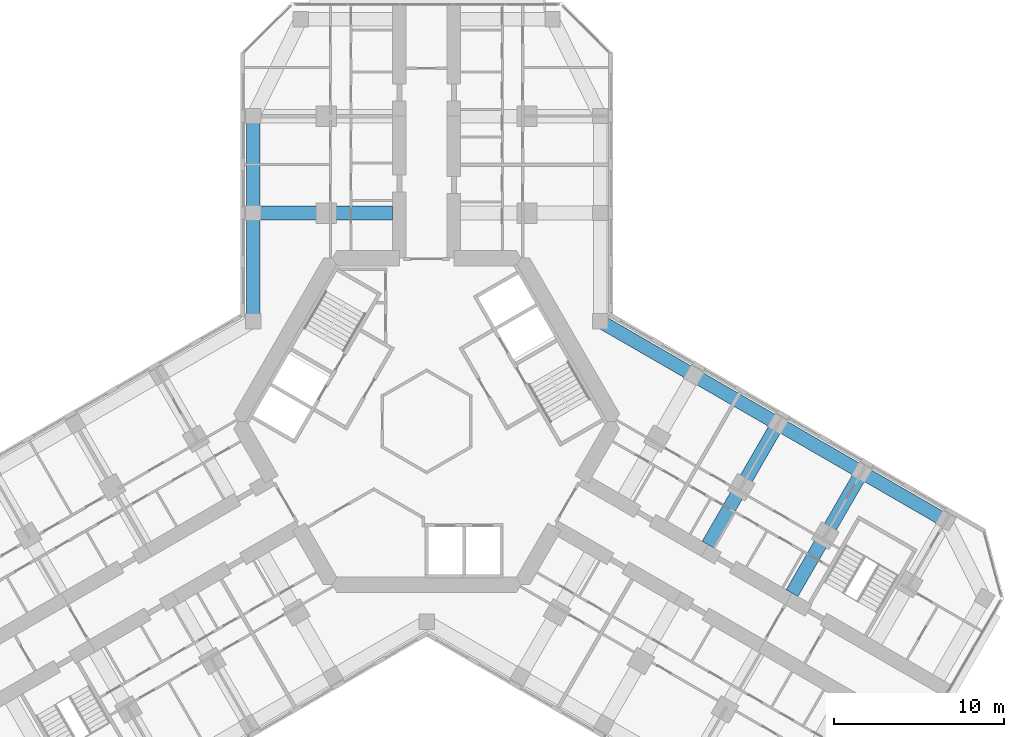
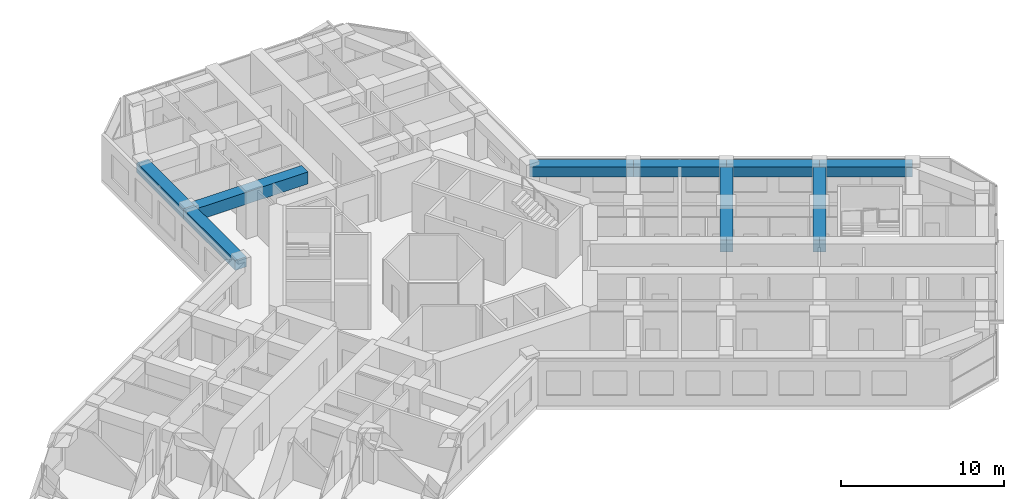
# One storey, part 6 of 19: 9 beams.
"""IFC4 building model written with IfcOpenShell, lengths in metres."""

from ifc_helpers import new_model, si_unit, direction, frame, origin, origin_2d, place, context, subcontext, project, spatial, rectangle, extrude, material, material_profile, profile_set, type_object, element, save


model = new_model("IFC4")

# Units and contexts
model_context = context("Model", 3, precision=1e-05, world=origin(), true_north=direction((0.0, 1.0)))
body_context = subcontext(model_context, "Body", "Model", "MODEL_VIEW")
ifc_project = project(units=[si_unit("LENGTHUNIT", "METRE"), si_unit("AREAUNIT", "SQUARE_METRE"), si_unit("VOLUMEUNIT", "CUBIC_METRE"), si_unit("PLANEANGLEUNIT", "RADIAN"), si_unit("MASSUNIT", "GRAM", prefix="KILO")], contexts=[model_context])

# Site, building, storey
site_placement = place(None, origin())
site = spatial("IfcSite", under=ifc_project, at=site_placement, CompositionType="ELEMENT")
building_placement = place(site_placement, origin())
building = spatial("IfcBuilding", under=site, at=building_placement, Name="Kosmar Iwan School Tower", CompositionType="ELEMENT")
storey_placement = place(building_placement, frame((0.0, 0.0, 141.800048828125)))
storey = spatial("IfcBuildingStorey", under=building, at=storey_placement, Name="L35", CompositionType="ELEMENT", Elevation=141.800048828125)

# Beams
ifc_material_1 = material(Name="Concrete C50/60", Category="concrete")
ifc_material_profile_1 = material_profile(ifc_material_1, rectangle(XDim=0.800048828125, YDim=0.75, at=origin_2d()), Name="RC 800x750")
ifc_profile_set_1 = profile_set([ifc_material_profile_1], Name="Concrete C50/60")
beam_type_1 = type_object("IfcBeamType", Name="RC edge beam 800x750", PredefinedType="BEAM", material=ifc_profile_set_1)
beam_1_placement = place(storey_placement, frame((-10.199951171875, 5.888916015625, 2.974853515625), z_axis=(0.0, 1.0, 0.0), x_axis=(-1.0, 0.0, 0.0)))
element("IfcBeam", 1, at=beam_1_placement, inside=storey, type_object=beam_type_1, Name="Edge beam AL1", PredefinedType="BEAM", context=body_context, shape_type="SweptSolid", body=[
    extrude(rectangle(XDim=0.800048828125, YDim=0.75, at=origin_2d()), origin(), (0.0, 0.0, 1.0), 6.361083984375),
])
beam_2_placement = place(storey_placement, frame((-10.199951171875, 12.25, 2.974853515625), z_axis=(0.0, 1.0, 0.0), x_axis=(-1.0, 0.0, 0.0)))
element("IfcBeam", 2, at=beam_2_placement, inside=storey, type_object=beam_type_1, Name="Edge beam AL2", PredefinedType="BEAM", context=body_context, shape_type="SweptSolid", body=[
    extrude(rectangle(XDim=0.800048828125, YDim=0.75, at=origin_2d()), origin(), (0.0, 0.0, 1.0), 5.699951171875),
])
beam_3_placement = place(storey_placement, frame((10.199951171875, 5.888916015625, 2.974853515625), z_axis=(0.866030912664, -0.49999045822, 0.0), x_axis=(0.49999045822, 0.866030912664, 0.0)))
element("IfcBeam", 3, at=beam_3_placement, inside=storey, type_object=beam_type_1, Name="Edge beam CL1", PredefinedType="BEAM", context=body_context, shape_type="SweptSolid", body=[
    extrude(rectangle(XDim=0.800048828125, YDim=0.75, at=origin_2d()), origin(), (0.0, 0.0, 1.0), 6.36083984375),
])
beam_4_placement = place(storey_placement, frame((15.708740234375, 2.70849609375, 2.974853515625), z_axis=(0.866025820012, -0.499999279071, 0.0), x_axis=(0.499999279071, 0.866025820012, 0.0)))
element("IfcBeam", 4, at=beam_4_placement, inside=storey, type_object=beam_type_1, Name="Edge beam CL2", PredefinedType="BEAM", context=body_context, shape_type="SweptSolid", body=[
    extrude(rectangle(XDim=0.800048828125, YDim=0.75, at=origin_2d()), origin(), (0.0, 0.0, 1.0), 5.7001953125),
])
for number, where, z_axis, x_axis, name in (
    (5, (20.645263671875, -0.1416015625, 2.974853515625), (0.866033658841, -0.49998570155, 0.0), (0.49998570155, 0.866033658841, 0.0), "Edge beam CL3"),
    (6, (25.58154296875, -2.991455078125, 2.974853515625), (0.866015111908, -0.50001782563, 0.0), (0.50001782563, 0.866015111908, 0.0), "Edge beam CL4"),
):
    element("IfcBeam", number, at=place(storey_placement, frame(where, z_axis=z_axis, x_axis=x_axis)), inside=storey, type_object=beam_type_1, Name=name, PredefinedType="BEAM", context=body_context, shape_type="SweptSolid", body=[
        extrude(rectangle(XDim=0.800048828125, YDim=0.75, at=origin_2d()), origin(), (0.0, 0.0, 1.0), 5.699951171875),
    ])
ifc_material_2 = material(Name="Concrete C50/60", Category="concrete")
ifc_material_profile_2 = material_profile(ifc_material_2, rectangle(XDim=0.800048828125, YDim=0.89990234375, at=origin_2d()), Name="RC 800x900")
ifc_profile_set_2 = profile_set([ifc_material_profile_2], Name="Concrete C50/60")
beam_type_2 = type_object("IfcBeamType", Name="RC transverse beam 800x900", PredefinedType="BEAM", material=ifc_profile_set_2)
for number, where, z_axis, x_axis, name in (
    (7, (-10.199951171875, 12.25, 2.89990234375), (1.0, 0.0, 0.0), (0.0, 1.0, 0.0), "Transverse beam AL1"),
    (8, (20.645263671875, -0.1416015625, 2.89990234375), (-0.500013681986, -0.866017504342, 0.0), (0.866017504342, -0.500013681986, 0.0), "Transverse beam CL2"),
):
    element("IfcBeam", number, at=place(storey_placement, frame(where, z_axis=z_axis, x_axis=x_axis)), inside=storey, type_object=beam_type_2, Name=name, PredefinedType="BEAM", context=body_context, shape_type="SweptSolid", body=[
        extrude(rectangle(XDim=0.800048828125, YDim=0.89990234375, at=origin_2d()), origin(), (0.0, 0.0, 1.0), 8.199951171875),
    ])
beam_5_placement = place(storey_placement, frame((25.58154296875, -2.991455078125, 2.89990234375), z_axis=(-0.500000789788, -0.8660249478, 0.0), x_axis=(0.8660249478, -0.500000789788, 0.0)))
element("IfcBeam", 9, at=beam_5_placement, inside=storey, type_object=beam_type_2, Name="Transverse beam CL3", PredefinedType="BEAM", context=body_context, shape_type="SweptSolid", body=[
    extrude(rectangle(XDim=0.800048828125, YDim=0.89990234375, at=origin_2d()), origin(), (0.0, 0.0, 1.0), 8.2001953125),
])

save(model, "model.ifc")
